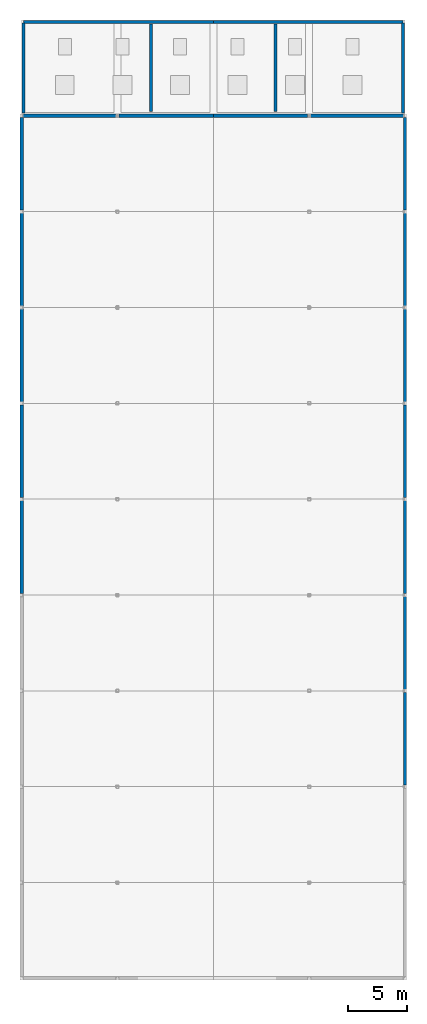
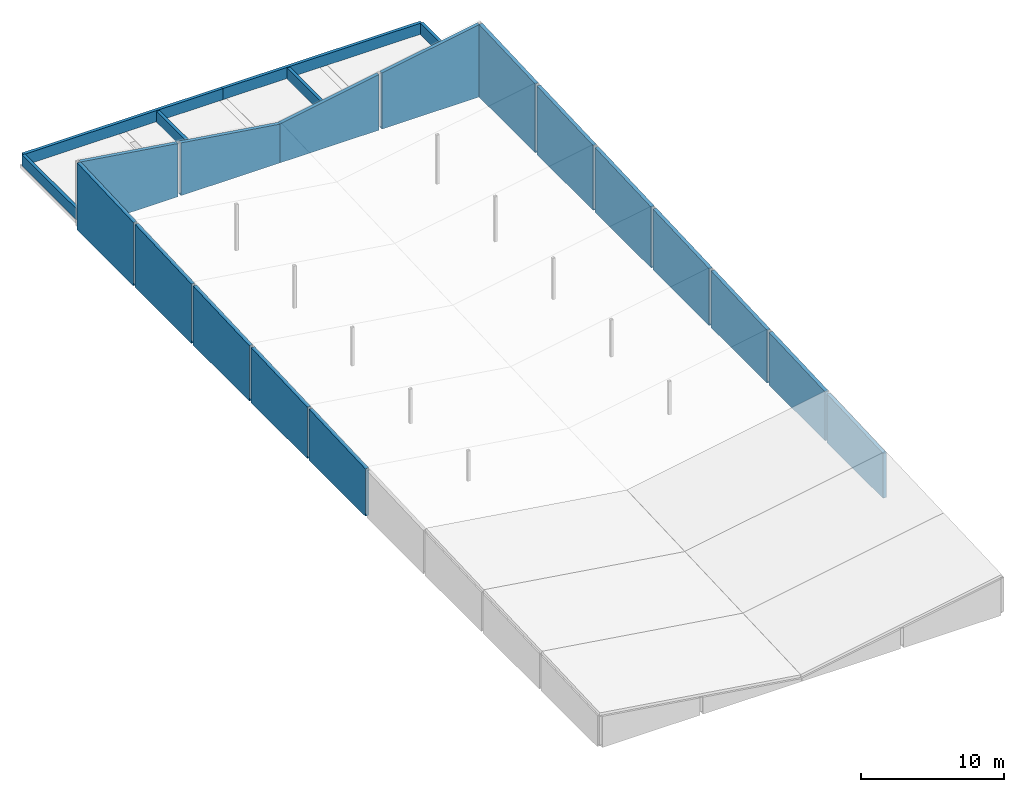
# One storey, part 7 of 8: 22 walls.
"""IFC4 building model written with IfcOpenShell, lengths in metres."""

from ifc_helpers import new_model, si_unit, direction, frame, frame_2d, origin, place, context, subcontext, project, spatial, polyline, rectangle, outline, extrude, material, layer, layer_set, type_object, element, save


model = new_model("IFC4")

# Units and contexts
model_context = context("Model", 3, precision=1e-05, world=origin(), true_north=direction((0.0, 1.0)))
body_context = subcontext(model_context, "Body", "Model", "MODEL_VIEW")
ifc_project = project(units=[si_unit("LENGTHUNIT", "METRE"), si_unit("AREAUNIT", "SQUARE_METRE"), si_unit("VOLUMEUNIT", "CUBIC_METRE"), si_unit("PLANEANGLEUNIT", "RADIAN"), si_unit("MASSUNIT", "GRAM", prefix="KILO")], contexts=[model_context])

# Site, building, storey
site_placement = place(None, origin())
site = spatial("IfcSite", under=ifc_project, at=site_placement, CompositionType="ELEMENT")
building_placement = place(site_placement, origin())
building = spatial("IfcBuilding", under=site, at=building_placement, Name="Vaudrelin Polytechnic", CompositionType="ELEMENT")
storey_placement = place(building_placement, frame((0.0, 0.0, 36.2099609375)))
storey = spatial("IfcBuildingStorey", under=building, at=storey_placement, Name="ROOF", CompositionType="ELEMENT", Elevation=36.2099609375)

# Walls
ifc_material_1 = material(Name="Precast concrete 35 MPa with standing-seam zinc rainscreen", Category="concrete")
ifc_layer_1 = layer(ifc_material_1, 0.280029296875)
ifc_layer_set_1 = layer_set([ifc_layer_1], Name="Precast concrete 35 MPa with standing-seam zinc rainscreen")
wall_type_1 = type_object("IfcWallType", Name="WAL-EW-CLER280", PredefinedType="STANDARD", material=ifc_layer_set_1)
wall_1_placement = place(storey_placement, frame((170.10009765625, 48.72412109375, -0.260009765625), z_axis=(0.0, 0.0, 1.0), x_axis=(0.0, 1.0, 0.0)))
element("IfcWall", 1, at=wall_1_placement, inside=storey, type_object=wall_type_1, Name="Laboratory E raked clerestory wall 6", PredefinedType="STANDARD", context=body_context, shape_type="SweptSolid", body=[
    extrude(outline(polyline([(0.0, 0.0), (7.851806640625, 0.0), (7.85205078125, 4.151611328125), (0.0, 3.82177734375), (0.0, 0.0)])), frame((0.0, 0.14013671875, 0.0), z_axis=(0.0, -1.0, 0.0), x_axis=(1.0, 0.0, 0.0)), (0.0, 0.0, 1.0), 0.280029296875),
])
wall_2_placement = place(storey_placement, frame((170.10009765625, 56.823974609375, -0.260009765625), z_axis=(0.0, 0.0, 1.0), x_axis=(0.0, 1.0, 0.0)))
element("IfcWall", 2, at=wall_2_placement, inside=storey, type_object=wall_type_1, Name="Laboratory E raked clerestory wall 7", PredefinedType="STANDARD", context=body_context, shape_type="SweptSolid", body=[
    extrude(outline(polyline([(0.0, 0.0), (7.85205078125, 0.0), (7.85205078125, 4.49169921875), (0.0, 4.161865234375), (0.0, 0.0)])), frame((0.0, 0.14013671875, 0.0), z_axis=(0.0, -1.0, 0.0), x_axis=(1.0, 0.0, 0.0)), (0.0, 0.0, 1.0), 0.280029296875),
])
wall_3_placement = place(storey_placement, frame((137.699951171875, 64.924072265625, -0.260009765625), z_axis=(0.0, 0.0, 1.0), x_axis=(0.0, 1.0, 0.0)))
element("IfcWall", 3, at=wall_3_placement, inside=storey, type_object=wall_type_1, Name="Laboratory W raked clerestory wall 8", PredefinedType="STANDARD", context=body_context, shape_type="SweptSolid", body=[
    extrude(outline(polyline([(0.0, 0.0), (7.851806640625, 0.0), (7.85205078125, 4.366943359375), (0.0, 4.037109375), (0.0, 0.0)])), frame((0.0, 0.14013671875, 0.0), z_axis=(0.0, -1.0, 0.0), x_axis=(1.0, 0.0, 0.0)), (0.0, 0.0, 1.0), 0.280029296875),
])
wall_4_placement = place(storey_placement, frame((170.10009765625, 64.924072265625, -0.260009765625), z_axis=(0.0, 0.0, 1.0), x_axis=(0.0, 1.0, 0.0)))
element("IfcWall", 4, at=wall_4_placement, inside=storey, type_object=wall_type_1, Name="Laboratory E raked clerestory wall 8", PredefinedType="STANDARD", context=body_context, shape_type="SweptSolid", body=[
    extrude(outline(polyline([(0.0, 0.0), (7.851806640625, 0.0), (7.85205078125, 4.83203125), (0.0, 4.502197265625), (0.0, 0.0)])), frame((0.0, 0.14013671875, 0.0), z_axis=(0.0, -1.0, 0.0), x_axis=(1.0, 0.0, 0.0)), (0.0, 0.0, 1.0), 0.280029296875),
])
wall_5_placement = place(storey_placement, frame((137.699951171875, 73.02392578125, -0.260009765625), z_axis=(0.0, 0.0, 1.0), x_axis=(0.0, 1.0, 0.0)))
element("IfcWall", 5, at=wall_5_placement, inside=storey, type_object=wall_type_1, Name="Laboratory W raked clerestory wall 9", PredefinedType="STANDARD", context=body_context, shape_type="SweptSolid", body=[
    extrude(outline(polyline([(0.0, 0.0), (7.85205078125, 0.0), (7.85205078125, 4.70703125), (0.0, 4.37744140625), (0.0, 0.0)])), frame((0.0, 0.14013671875, 0.0), z_axis=(0.0, -1.0, 0.0), x_axis=(1.0, 0.0, 0.0)), (0.0, 0.0, 1.0), 0.280029296875),
])
wall_6_placement = place(storey_placement, frame((170.10009765625, 73.02392578125, -0.260009765625), z_axis=(0.0, 0.0, 1.0), x_axis=(0.0, 1.0, 0.0)))
element("IfcWall", 6, at=wall_6_placement, inside=storey, type_object=wall_type_1, Name="Laboratory E raked clerestory wall 9", PredefinedType="STANDARD", context=body_context, shape_type="SweptSolid", body=[
    extrude(outline(polyline([(0.0, 0.0), (7.85205078125, 0.0), (7.85205078125, 5.172119140625), (0.0, 4.84228515625), (0.0, 0.0)])), frame((0.0, 0.14013671875, 0.0), z_axis=(0.0, -1.0, 0.0), x_axis=(1.0, 0.0, 0.0)), (0.0, 0.0, 1.0), 0.280029296875),
])
wall_7_placement = place(storey_placement, frame((137.699951171875, 81.1240234375, -0.260009765625), z_axis=(0.0, 0.0, 1.0), x_axis=(0.0, 1.0, 0.0)))
element("IfcWall", 7, at=wall_7_placement, inside=storey, type_object=wall_type_1, Name="Laboratory W raked clerestory wall 10", PredefinedType="STANDARD", context=body_context, shape_type="SweptSolid", body=[
    extrude(outline(polyline([(0.0, 0.0), (7.85205078125, 0.0), (7.85205078125, 5.04736328125), (0.0, 4.717529296875), (0.0, 0.0)])), frame((0.0, 0.14013671875, 0.0), z_axis=(0.0, -1.0, 0.0), x_axis=(1.0, 0.0, 0.0)), (0.0, 0.0, 1.0), 0.280029296875),
])
wall_8_placement = place(storey_placement, frame((170.10009765625, 81.1240234375, -0.260009765625), z_axis=(0.0, 0.0, 1.0), x_axis=(0.0, 1.0, 0.0)))
element("IfcWall", 8, at=wall_8_placement, inside=storey, type_object=wall_type_1, Name="Laboratory E raked clerestory wall 10", PredefinedType="STANDARD", context=body_context, shape_type="SweptSolid", body=[
    extrude(outline(polyline([(0.0, 0.0), (7.85205078125, 0.0), (7.85205078125, 5.512451171875), (0.0, 5.1826171875), (0.0, 0.0)])), frame((0.0, 0.14013671875, 0.0), z_axis=(0.0, -1.0, 0.0), x_axis=(1.0, 0.0, 0.0)), (0.0, 0.0, 1.0), 0.280029296875),
])
wall_9_placement = place(storey_placement, frame((137.699951171875, 89.22412109375, -0.260009765625), z_axis=(0.0, 0.0, 1.0), x_axis=(0.0, 1.0, 0.0)))
element("IfcWall", 9, at=wall_9_placement, inside=storey, type_object=wall_type_1, Name="Laboratory W raked clerestory wall 11", PredefinedType="STANDARD", context=body_context, shape_type="SweptSolid", body=[
    extrude(outline(polyline([(0.0, 0.0), (7.851806640625, 0.0), (7.85205078125, 5.387451171875), (0.0, 5.057861328125), (0.0, 0.0)])), frame((0.0, 0.14013671875, 0.0), z_axis=(0.0, -1.0, 0.0), x_axis=(1.0, 0.0, 0.0)), (0.0, 0.0, 1.0), 0.280029296875),
])
wall_10_placement = place(storey_placement, frame((170.10009765625, 89.22412109375, -0.260009765625), z_axis=(0.0, 0.0, 1.0), x_axis=(0.0, 1.0, 0.0)))
element("IfcWall", 10, at=wall_10_placement, inside=storey, type_object=wall_type_1, Name="Laboratory E raked clerestory wall 11", PredefinedType="STANDARD", context=body_context, shape_type="SweptSolid", body=[
    extrude(outline(polyline([(0.0, 0.0), (7.851806640625, 0.0), (7.85205078125, 5.8525390625), (0.0, 5.522705078125), (0.0, 0.0)])), frame((0.0, 0.14013671875, 0.0), z_axis=(0.0, -1.0, 0.0), x_axis=(1.0, 0.0, 0.0)), (0.0, 0.0, 1.0), 0.280029296875),
])
wall_11_placement = place(storey_placement, frame((137.699951171875, 97.323974609375, -0.260009765625), z_axis=(0.0, 0.0, 1.0), x_axis=(0.0, 1.0, 0.0)))
element("IfcWall", 11, at=wall_11_placement, inside=storey, type_object=wall_type_1, Name="Laboratory W raked clerestory wall 12", PredefinedType="STANDARD", context=body_context, shape_type="SweptSolid", body=[
    extrude(outline(polyline([(0.0, 0.0), (7.85205078125, 0.0), (7.85205078125, 5.727783203125), (0.0, 5.39794921875), (0.0, 0.0)])), frame((0.0, 0.14013671875, 0.0), z_axis=(0.0, -1.0, 0.0), x_axis=(1.0, 0.0, 0.0)), (0.0, 0.0, 1.0), 0.280029296875),
])
wall_12_placement = place(storey_placement, frame((170.10009765625, 97.323974609375, -0.260009765625), z_axis=(0.0, 0.0, 1.0), x_axis=(0.0, 1.0, 0.0)))
element("IfcWall", 12, at=wall_12_placement, inside=storey, type_object=wall_type_1, Name="Laboratory E raked clerestory wall 12", PredefinedType="STANDARD", context=body_context, shape_type="SweptSolid", body=[
    extrude(outline(polyline([(0.0, 0.0), (7.85205078125, 0.0), (7.85205078125, 6.192626953125), (0.0, 5.863037109375), (0.0, 0.0)])), frame((0.0, 0.14013671875, 0.0), z_axis=(0.0, -1.0, 0.0), x_axis=(1.0, 0.0, 0.0)), (0.0, 0.0, 1.0), 0.280029296875),
])
wall_13_placement = place(storey_placement, frame((137.823974609375, 105.300048828125, -0.260009765625), z_axis=(0.0, 0.0, 1.0), x_axis=(1.0, 0.0, 0.0)))
element("IfcWall", 13, at=wall_13_placement, inside=storey, type_object=wall_type_1, Name="Laboratory N raked butterfly gable wall W1", PredefinedType="STANDARD", context=body_context, shape_type="SweptSolid", body=[
    extrude(outline(polyline([(0.0, 0.0), (7.85205078125, 0.0), (7.85205078125, 4.541015625), (0.0, 5.71435546875), (0.0, 0.0)])), frame((0.0, 0.14013671875, 0.0), z_axis=(0.0, -1.0, 0.0), x_axis=(1.0, 0.0, 0.0)), (0.0, 0.0, 1.0), 0.280029296875),
])
wall_14_placement = place(storey_placement, frame((145.924072265625, 105.300048828125, -0.260009765625), z_axis=(0.0, 0.0, 1.0), x_axis=(1.0, 0.0, 0.0)))
element("IfcWall", 14, at=wall_14_placement, inside=storey, type_object=wall_type_1, Name="Laboratory N raked butterfly gable wall W2", PredefinedType="STANDARD", context=body_context, shape_type="SweptSolid", body=[
    extrude(outline(polyline([(0.0, 0.0), (7.973876953125, 0.0), (7.97412109375, 3.312255859375), (0.0, 4.50390625), (0.0, 0.0)])), frame((0.0, 0.14013671875, 0.0), z_axis=(0.0, -1.0, 0.0), x_axis=(1.0, 0.0, 0.0)), (0.0, 0.0, 1.0), 0.280029296875),
])
wall_15_placement = place(storey_placement, frame((153.902099609375, 105.300048828125, -0.260009765625), z_axis=(0.0, 0.0, 1.0), x_axis=(1.0, 0.0, 0.0)))
element("IfcWall", 15, at=wall_15_placement, inside=storey, type_object=wall_type_1, Name="Laboratory N raked butterfly gable wall E1", PredefinedType="STANDARD", context=body_context, shape_type="SweptSolid", body=[
    extrude(outline(polyline([(0.0, 0.0), (7.973876953125, 0.0), (7.97412109375, 4.740478515625), (0.0, 3.3271484375), (0.0, 0.0)])), frame((0.0, 0.14013671875, 0.0), z_axis=(0.0, -1.0, 0.0), x_axis=(1.0, 0.0, 0.0)), (0.0, 0.0, 1.0), 0.280029296875),
])
wall_16_placement = place(storey_placement, frame((162.1240234375, 105.300048828125, -0.260009765625), z_axis=(0.0, 0.0, 1.0), x_axis=(1.0, 0.0, 0.0)))
element("IfcWall", 16, at=wall_16_placement, inside=storey, type_object=wall_type_1, Name="Laboratory N raked butterfly gable wall E2", PredefinedType="STANDARD", context=body_context, shape_type="SweptSolid", body=[
    extrude(outline(polyline([(0.0, 0.0), (7.85205078125, 0.0), (7.85205078125, 6.176025390625), (0.0, 4.784423828125), (0.0, 0.0)])), frame((0.0, 0.14013671875, 0.0), z_axis=(0.0, -1.0, 0.0), x_axis=(1.0, 0.0, 0.0)), (0.0, 0.0, 1.0), 0.280029296875),
])
ifc_material_2 = material(Name="Precast concrete 35 MPa snow parapet coping", Category="concrete")
ifc_layer_2 = layer(ifc_material_2, 0.25)
ifc_layer_set_2 = layer_set([ifc_layer_2], Name="Precast concrete 35 MPa snow parapet coping")
wall_type_2 = type_object("IfcWallType", Name="WAL-PR-PAR250", PredefinedType="PARAPET", material=ifc_layer_set_2)
for number, where, z_axis, x_axis, name in (
    (17, (148.635009765625, 105.64990234375, 0.300048828125), (0.0, 0.0, 1.0), (0.0, 1.0, 0.0), "Snow-guard roof parapet PAR-01"),
    (18, (159.1650390625, 105.64990234375, 0.300048828125), (0.0, 0.0, 1.0), (0.0, 1.0, 0.0), "Snow-guard roof parapet PAR-02"),
):
    element("IfcWall", number, at=place(storey_placement, frame(where, z_axis=z_axis, x_axis=x_axis)), inside=storey, type_object=wall_type_2, Name=name, PredefinedType="PARAPET", context=body_context, shape_type="SweptSolid", body=[
        extrude(rectangle(XDim=7.400146484375, YDim=0.25, at=frame_2d((3.7001953125, 0.0))), origin(), (0.0, 0.0, 1.0), 0.949951171875),
    ])
wall_17_placement = place(storey_placement, frame((137.85009765625, 113.25, 0.300048828125), z_axis=(0.0, 0.0, 1.0), x_axis=(1.0, 0.0, 0.0)))
element("IfcWall", 19, at=wall_17_placement, inside=storey, type_object=wall_type_2, Name="Snow-guard roof parapet PAR-03", PredefinedType="PARAPET", context=body_context, shape_type="SweptSolid", body=[
    extrude(rectangle(XDim=16.0498046875, YDim=0.25, at=frame_2d((8.02490234375, 0.0))), origin(), (0.0, 0.0, 1.0), 0.949951171875),
])
wall_18_placement = place(storey_placement, frame((153.89990234375, 113.25, 0.300048828125), z_axis=(0.0, 0.0, 1.0), x_axis=(1.0, 0.0, 0.0)))
element("IfcWall", 20, at=wall_18_placement, inside=storey, type_object=wall_type_2, Name="Snow-guard roof parapet PAR-04", PredefinedType="PARAPET", context=body_context, shape_type="SweptSolid", body=[
    extrude(rectangle(XDim=16.050048828125, YDim=0.25, at=frame_2d((8.02490234375, 0.0))), origin(), (0.0, 0.0, 1.0), 0.949951171875),
])
for number, where, z_axis, x_axis, name in (
    (21, (137.85009765625, 105.550048828125, 0.300048828125), (0.0, 0.0, 1.0), (0.0, 1.0, 0.0), "Snow-guard roof parapet PAR-05"),
    (22, (169.949951171875, 105.550048828125, 0.300048828125), (0.0, 0.0, 1.0), (0.0, 1.0, 0.0), "Snow-guard roof parapet PAR-06"),
):
    element("IfcWall", number, at=place(storey_placement, frame(where, z_axis=z_axis, x_axis=x_axis)), inside=storey, type_object=wall_type_2, Name=name, PredefinedType="PARAPET", context=body_context, shape_type="SweptSolid", body=[
        extrude(rectangle(XDim=7.599853515625, YDim=0.25, at=frame_2d((3.7998046875, 0.0))), origin(), (0.0, 0.0, 1.0), 0.949951171875),
    ])

save(model, "model.ifc")
